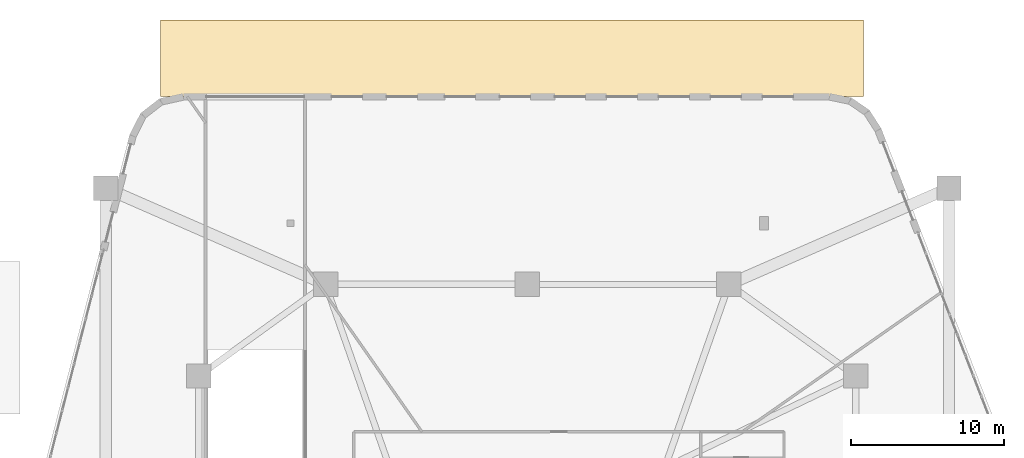
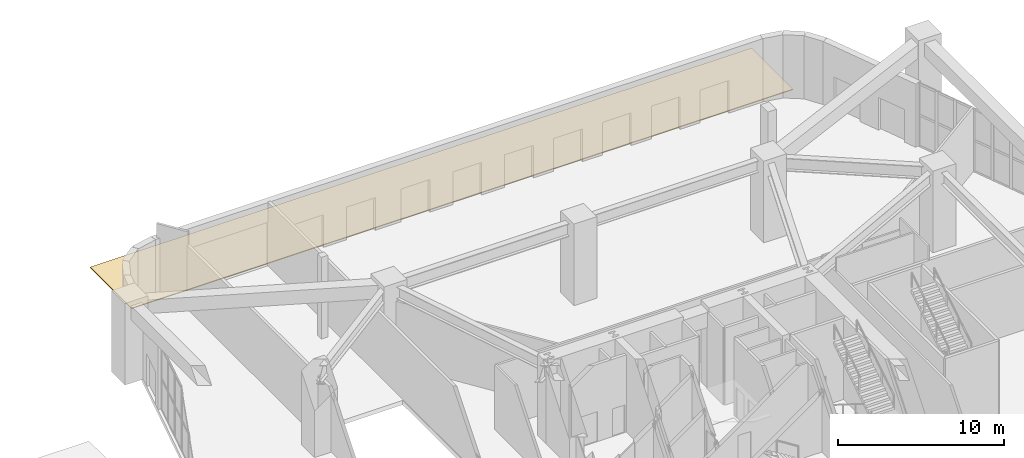
# One storey, part 34 of 35: 1 covering.
"""IFC4 building model written with IfcOpenShell, lengths in metres."""

from ifc_helpers import new_model, si_unit, direction, frame, origin, place, context, subcontext, project, spatial, polyline, outline, extrude, material, layer, layer_set, type_object, element, save


model = new_model("IFC4")

# Units and contexts
model_context = context("Model", 3, precision=1e-05, world=origin(), true_north=direction((0.0, 1.0)))
body_context = subcontext(model_context, "Body", "Model", "MODEL_VIEW")
ifc_project = project(units=[si_unit("LENGTHUNIT", "METRE"), si_unit("AREAUNIT", "SQUARE_METRE"), si_unit("VOLUMEUNIT", "CUBIC_METRE"), si_unit("PLANEANGLEUNIT", "RADIAN"), si_unit("MASSUNIT", "GRAM", prefix="KILO")], contexts=[model_context])

# Site, building, storey
site_placement = place(None, origin())
site = spatial("IfcSite", under=ifc_project, at=site_placement, CompositionType="ELEMENT")
building_placement = place(site_placement, origin())
building = spatial("IfcBuilding", under=site, at=building_placement, Name="Kilnhurst Terrace Hotel", CompositionType="ELEMENT")
storey_placement = place(building_placement, origin())
storey = spatial("IfcBuildingStorey", under=building, at=storey_placement, Name="L00", CompositionType="ELEMENT", Elevation=0.0)

# Covering
ifc_material = material(Name="Flamed Texas Pink Granite Forecourt Paving", Category="masonry")
ifc_layer = layer(ifc_material, 0.06005859375, Name="Flamed Texas Pink Granite Forecourt Paving")
ifc_layer_set = layer_set([ifc_layer], Name="Flamed Texas Pink Granite Forecourt Paving")
covering_type = type_object("IfcCoveringType", Name="COV-PAV-GRANITE", PredefinedType="FLOORING", material=ifc_layer_set)
covering_placement = place(storey_placement, frame((0.0, 0.0, -0.06005859375)))
element("IfcCovering", 1, at=covering_placement, inside=storey, type_object=covering_type, Name="L00 Forecourt Granite Paving 3", PredefinedType="FLOORING", context=body_context, shape_type="SweptSolid", body=[
    extrude(outline(polyline([(-24.0, 31.800048828125), (22.0, 31.800048828125), (22.0, 36.800048828125), (-24.0, 36.800048828125), (-24.0, 31.800048828125)])), origin(), (0.0, 0.0, 1.0), 0.06005859375),
])

save(model, "model.ifc")
